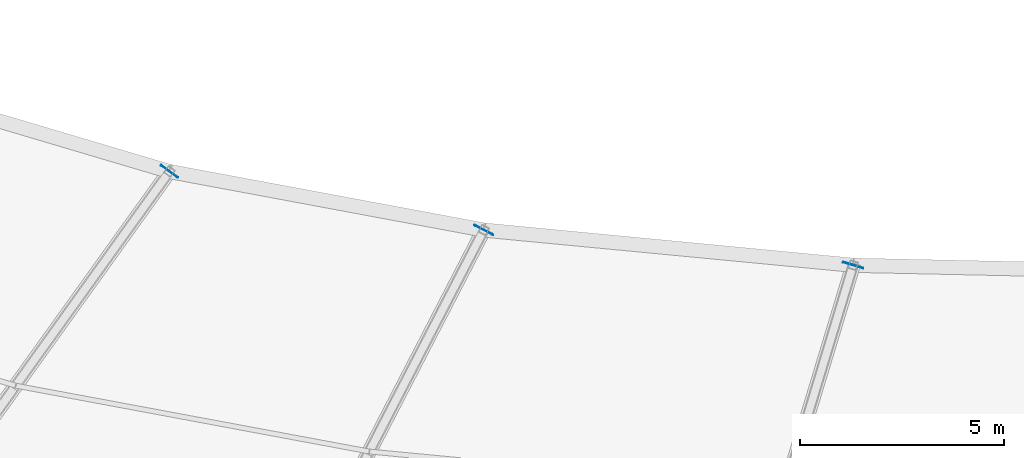
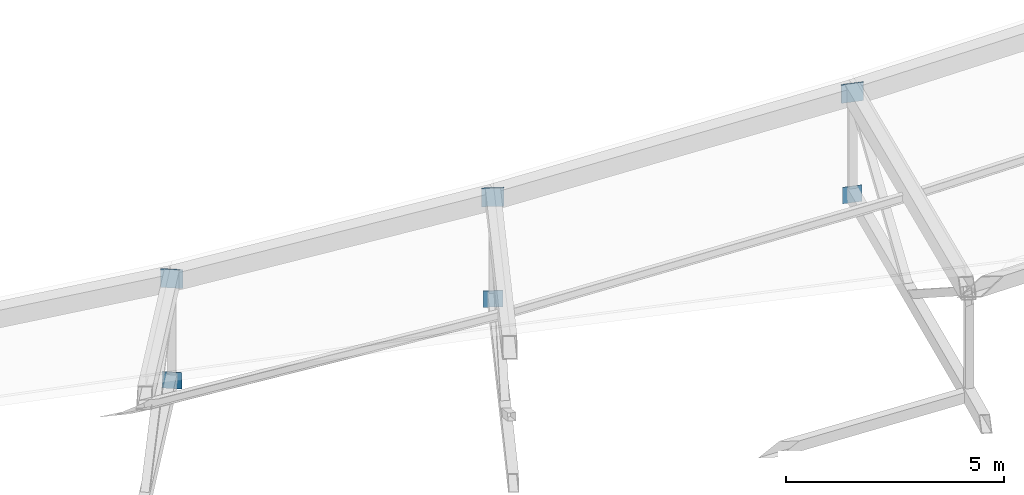
# One storey, part 112 of 143: 6 plates.
"""IFC4 building model written with IfcOpenShell, lengths in metres."""

from ifc_helpers import new_model, si_unit, direction, frame, origin, origin_2d, place, context, subcontext, project, spatial, rectangle, extrude, material, layer, layer_set, type_object, element, save


model = new_model("IFC4")

# Units and contexts
model_context = context("Model", 3, precision=1e-05, world=origin(), true_north=direction((0.0, 1.0)))
body_context = subcontext(model_context, "Body", "Model", "MODEL_VIEW")
ifc_project = project(units=[si_unit("LENGTHUNIT", "METRE"), si_unit("AREAUNIT", "SQUARE_METRE"), si_unit("VOLUMEUNIT", "CUBIC_METRE"), si_unit("PLANEANGLEUNIT", "RADIAN"), si_unit("MASSUNIT", "GRAM", prefix="KILO")], contexts=[model_context])

# Site, building, storey
site_placement = place(None, origin())
site = spatial("IfcSite", under=ifc_project, at=site_placement, CompositionType="ELEMENT")
building_placement = place(site_placement, origin())
building = spatial("IfcBuilding", under=site, at=building_placement, Name="Mphavela Belvedere Stadium", CompositionType="ELEMENT")
storey_placement = place(building_placement, frame((0.0, 0.0, 28.800048828125)))
storey = spatial("IfcBuildingStorey", under=building, at=storey_placement, Name="RF", CompositionType="ELEMENT", Elevation=28.800048828125)

# Plates
ifc_material_1 = material(Name="Steel S355", Category="steel")
ifc_layer_1 = layer(ifc_material_1, 0.01806640625)
ifc_layer_set_1 = layer_set([ifc_layer_1], Name="Steel S355")
plate_type_1 = type_object("IfcPlateType", Name="PLT-CAP-TRUSS-BC", PredefinedType="USERDEFINED", material=ifc_layer_set_1)
for number, where, z_axis, x_axis, name in (
    (1, (84.931396484375, 45.10009765625, 3.366455078125), (0.0, 0.0, 1.0), (-0.582974127943, -0.812490717577, 0.0), "Roof truss RT-34 hollow-end cap plate in_bc"),
    (2, (92.616455078125, 43.668701171875, 3.826904296875), (0.0, 0.0, 1.0), (-0.458959712465, -0.888457079624, 0.0), "Roof truss RT-35 hollow-end cap plate in_bc"),
    (3, (101.647705078125, 42.8076171875, 4.116455078125), (0.0, 0.0, 1.0), (-0.289198876314, -0.957269037387, 0.0), "Roof truss RT-36 hollow-end cap plate in_bc"),
):
    element("IfcPlate", number, at=place(storey_placement, frame(where, z_axis=z_axis, x_axis=x_axis)), inside=storey, type_object=plate_type_1, Name=name, ObjectType="GUSSET_PLATE", PredefinedType="USERDEFINED", context=body_context, shape_type="SweptSolid", body=[
        extrude(rectangle(XDim=0.01806640625, YDim=0.4599609375, at=origin_2d()), origin(), (0.0, 0.0, 1.0), 0.4599609375),
    ])
ifc_material_2 = material(Name="Steel S355", Category="steel")
ifc_layer_2 = layer(ifc_material_2, 0.02001953125)
ifc_layer_set_2 = layer_set([ifc_layer_2], Name="Steel S355")
plate_type_2 = type_object("IfcPlateType", Name="PLT-CAP-TRUSS-TC", PredefinedType="USERDEFINED", material=ifc_layer_set_2)
for number, where, z_axis, x_axis, name in (
    (4, (84.931396484375, 45.10009765625, 6.186279296875), (0.0, 0.0, 1.0), (-0.582974127943, -0.812490717577, 0.0), "Roof truss RT-34 hollow-end cap plate in_tc"),
    (5, (92.616455078125, 43.668701171875, 6.646728515625), (0.0, 0.0, 1.0), (-0.458959712465, -0.888457079624, 0.0), "Roof truss RT-35 hollow-end cap plate in_tc"),
    (6, (101.647705078125, 42.8076171875, 6.9365234375), (0.0, 0.0, 1.0), (-0.289198876314, -0.957269037387, 0.0), "Roof truss RT-36 hollow-end cap plate in_tc"),
):
    element("IfcPlate", number, at=place(storey_placement, frame(where, z_axis=z_axis, x_axis=x_axis)), inside=storey, type_object=plate_type_2, Name=name, ObjectType="GUSSET_PLATE", PredefinedType="USERDEFINED", context=body_context, shape_type="SweptSolid", body=[
        extrude(rectangle(XDim=0.02001953125, YDim=0.52001953125, at=origin_2d()), origin(), (0.0, 0.0, 1.0), 0.52001953125),
    ])

save(model, "model.ifc")
